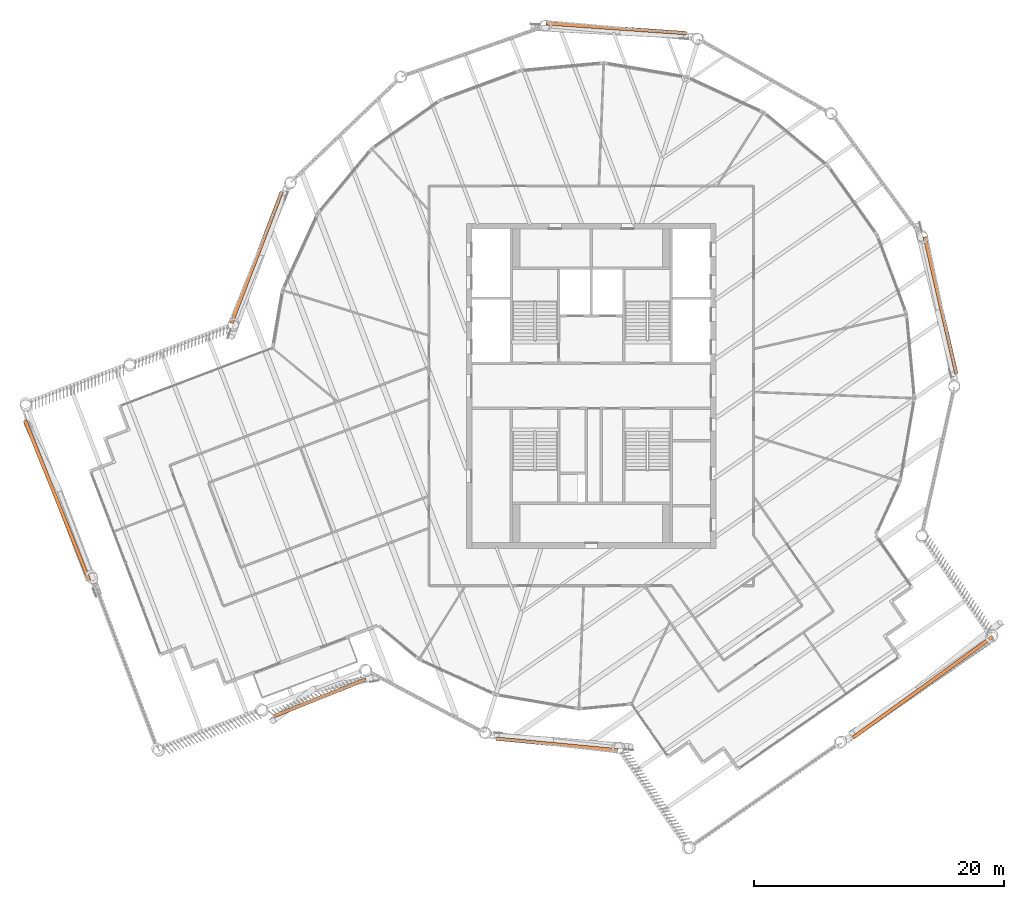
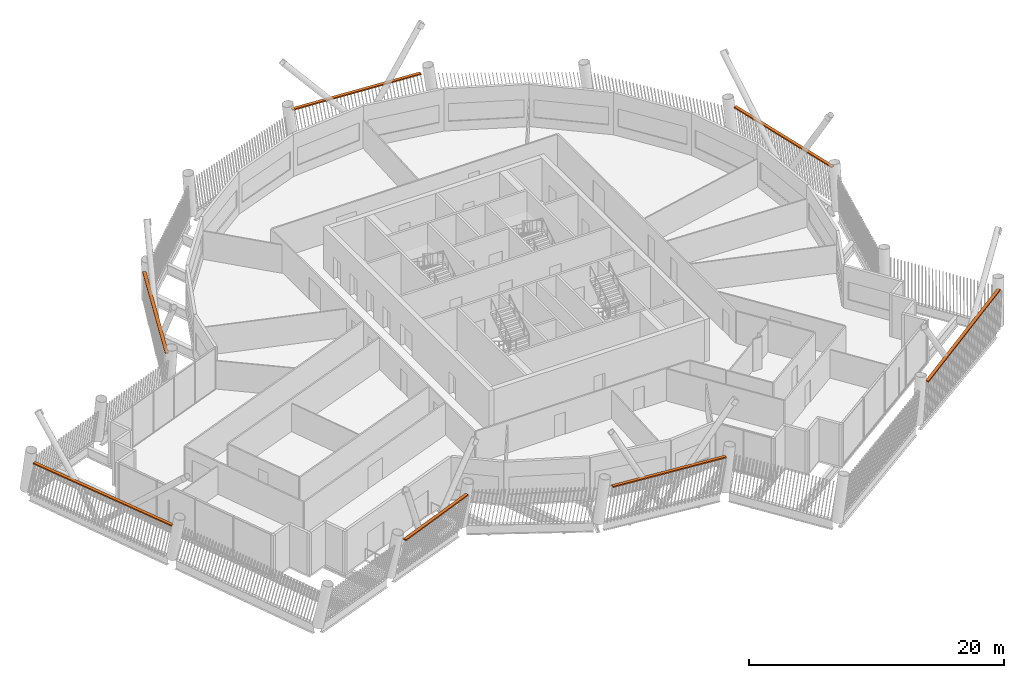
# One storey, part 33 of 33: 7 proxies.
"""IFC4 building model written with IfcOpenShell, lengths in metres."""

from ifc_helpers import new_model, si_unit, direction, frame, origin, origin_2d, place, context, subcontext, project, spatial, rectangle, extrude, material, type_object, element, save


model = new_model("IFC4")

# Units and contexts
model_context = context("Model", 3, precision=1e-05, world=origin(), true_north=direction((0.0, 1.0)))
body_context = subcontext(model_context, "Body", "Model", "MODEL_VIEW")
ifc_project = project(units=[si_unit("LENGTHUNIT", "METRE"), si_unit("AREAUNIT", "SQUARE_METRE"), si_unit("VOLUMEUNIT", "CUBIC_METRE"), si_unit("PLANEANGLEUNIT", "RADIAN"), si_unit("MASSUNIT", "GRAM", prefix="KILO")], contexts=[model_context])

# Site, building, storey
site_placement = place(None, origin())
site = spatial("IfcSite", under=ifc_project, at=site_placement, CompositionType="ELEMENT")
building_placement = place(site_placement, origin())
building = spatial("IfcBuilding", under=site, at=building_placement, Name="Tarsis Ring Headquarters", CompositionType="ELEMENT")
storey_placement = place(building_placement, frame((0.0, 0.0, 369.199951171875)))
storey = spatial("IfcBuildingStorey", under=building, at=storey_placement, Name="L87", CompositionType="ELEMENT", Elevation=369.199951171875)

# Proxies
ifc_material = material(Name="Structural steel S355", Category="steel")
building_element_proxy_type = type_object("IfcBuildingElementProxyType", Name="Screen bracket plate", PredefinedType="USERDEFINED", material=ifc_material)
proxy_1_placement = place(storey_placement, frame((-2.75146484375, -28.70703125, 3.280517578125), z_axis=(0.0, 0.0, 1.0), x_axis=(0.995437895901, -0.095411715237, 0.0)))
element("IfcBuildingElementProxy", 1, at=proxy_1_placement, inside=storey, type_object=building_element_proxy_type, Name="Screen bracket L87-00", ObjectType="Bracket", PredefinedType="USERDEFINED", context=body_context, shape_type="SweptSolid", body=[
    extrude(rectangle(XDim=9.771728515625, YDim=0.28271484375, at=origin_2d()), origin(), (0.0, 0.0, 1.0), 0.1201171875),
])
proxy_2_placement = place(storey_placement, frame((26.547119140625, -24.115966796875, 3.280517578125), z_axis=(0.0, 0.0, 1.0), x_axis=(0.810655274533, 0.585523719308, 0.0)))
element("IfcBuildingElementProxy", 2, at=proxy_2_placement, inside=storey, type_object=building_element_proxy_type, Name="Screen bracket L87-03", ObjectType="Bracket", PredefinedType="USERDEFINED", context=body_context, shape_type="SweptSolid", body=[
    extrude(rectangle(XDim=13.800048828125, YDim=0.28271484375, at=origin_2d()), origin(), (0.0, 0.0, 1.0), 0.1201171875),
])
for number, where, z_axis, x_axis, name in (
    (3, (27.955810546875, 6.44580078125, 3.280517578125), (0.0, 0.0, 1.0), (-0.224675072512, 0.974433739046, 0.0), "Screen bracket L87-06"),
    (4, (1.99560546875, 28.619873046875, 3.280517578125), (0.0, 0.0, 1.0), (-0.997577727682, 0.069560601157, 0.0), "Screen bracket L87-09"),
    (5, (-26.790771484375, 10.26318359375, 3.280517578125), (0.0, 0.0, 1.0), (-0.357736962057, -0.933822395308, 0.0), "Screen bracket L87-12"),
):
    element("IfcBuildingElementProxy", number, at=place(storey_placement, frame(where, z_axis=z_axis, x_axis=x_axis)), inside=storey, type_object=building_element_proxy_type, Name=name, ObjectType="Bracket", PredefinedType="USERDEFINED", context=body_context, shape_type="SweptSolid", body=[
        extrude(rectangle(XDim=11.248779296875, YDim=0.28271484375, at=origin_2d()), origin(), (0.0, 0.0, 1.0), 0.1201171875),
    ])
proxy_3_placement = place(storey_placement, frame((-42.753662109375, -9.16259765625, 3.280517578125), z_axis=(0.0, 0.0, 1.0), x_axis=(0.372015934186, -0.92822634347, 0.0)))
element("IfcBuildingElementProxy", 6, at=proxy_3_placement, inside=storey, type_object=building_element_proxy_type, Name="Screen bracket L87-15", ObjectType="Bracket", PredefinedType="USERDEFINED", context=body_context, shape_type="SweptSolid", body=[
    extrude(rectangle(XDim=13.800048828125, YDim=0.28271484375, at=origin_2d()), origin(), (0.0, 0.0, 1.0), 0.1201171875),
])
proxy_4_placement = place(storey_placement, frame((-21.718017578125, -24.965087890625, 3.280517578125), z_axis=(0.0, 0.0, 1.0), x_axis=(0.928226323991, 0.372015982788, 0.0)))
element("IfcBuildingElementProxy", 7, at=proxy_4_placement, inside=storey, type_object=building_element_proxy_type, Name="Screen bracket L87-18", ObjectType="Bracket", PredefinedType="USERDEFINED", context=body_context, shape_type="SweptSolid", body=[
    extrude(rectangle(XDim=7.90234375, YDim=0.28271484375, at=origin_2d()), origin(), (0.0, 0.0, 1.0), 0.1201171875),
])

save(model, "model.ifc")
